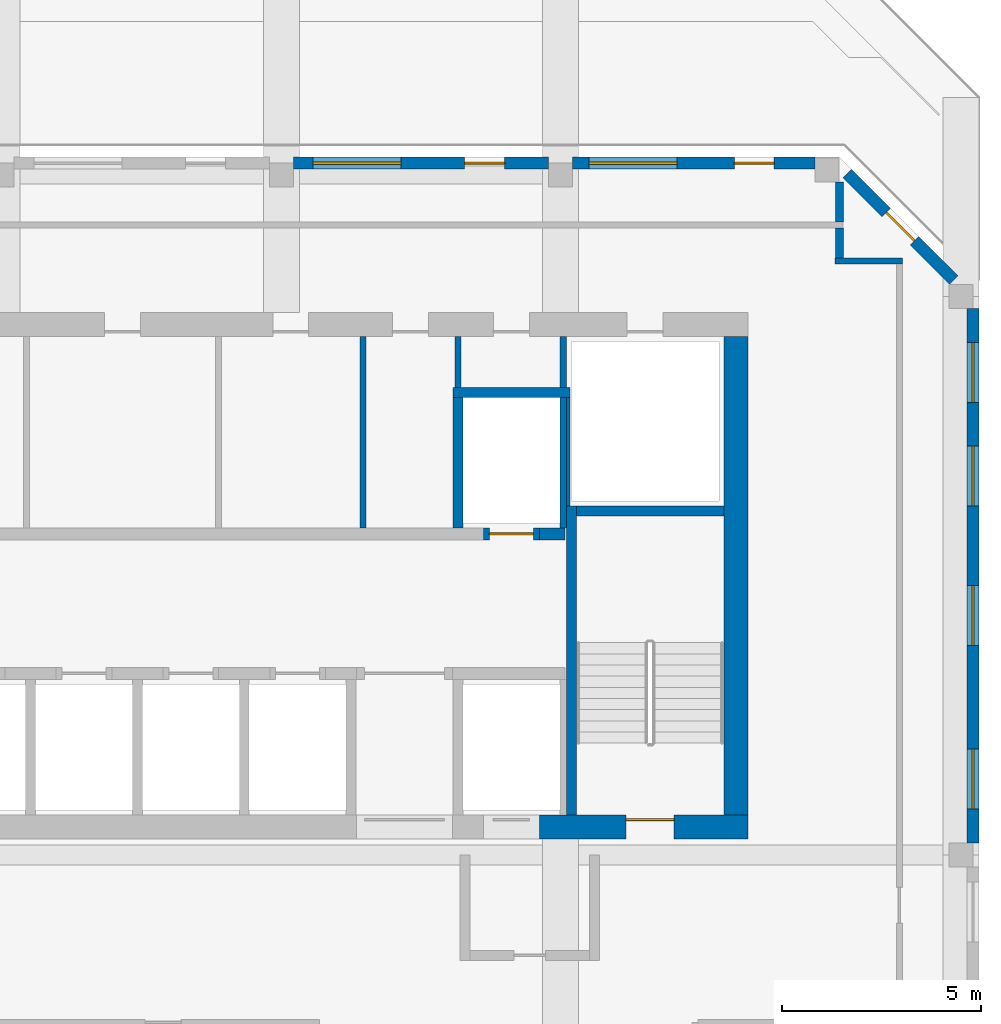
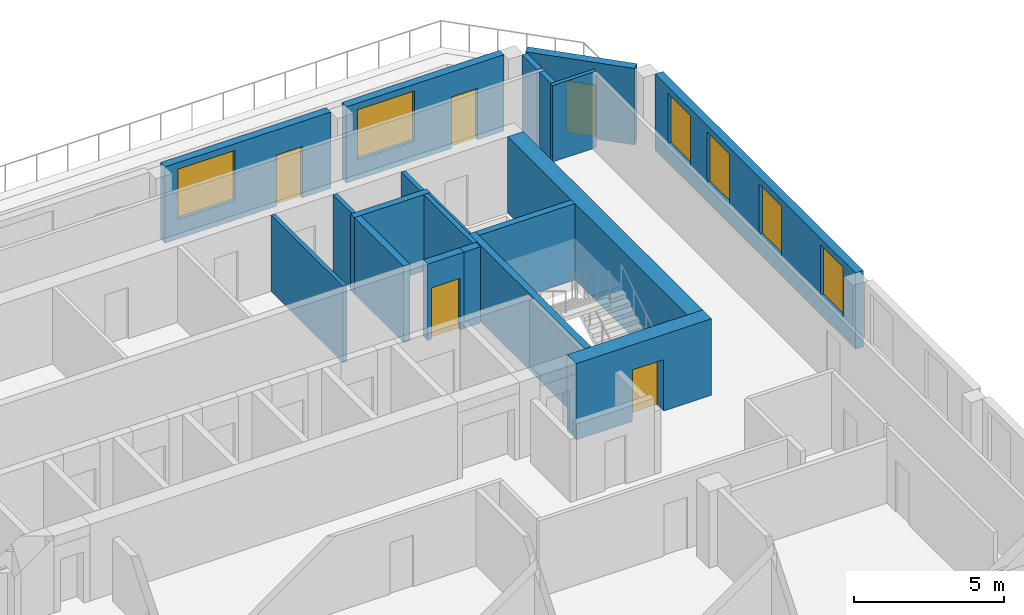
# One storey, part 8 of 12: 20 walls, 6 windows, 5 doors, 11 openings.
"""IFC4 building model written with IfcOpenShell, lengths in metres."""

from ifc_helpers import new_model, si_unit, direction, frame, frame_2d, origin, place, context, subcontext, project, spatial, rectangle, extrude, source, transform, mapped, material, layer, layer_set, type_object, element, fill, save


model = new_model("IFC4")

# Units and contexts
model_context = context("Model", 3, precision=1e-05, world=origin(), true_north=direction((0.0, 1.0)))
body_context = subcontext(model_context, "Body", "Model", "MODEL_VIEW")
ifc_project = project(units=[si_unit("LENGTHUNIT", "METRE"), si_unit("AREAUNIT", "SQUARE_METRE"), si_unit("VOLUMEUNIT", "CUBIC_METRE"), si_unit("PLANEANGLEUNIT", "RADIAN"), si_unit("MASSUNIT", "GRAM", prefix="KILO")], contexts=[model_context])

# Site, building, storey
site_placement = place(None, origin())
site = spatial("IfcSite", under=ifc_project, at=site_placement, CompositionType="ELEMENT")
building_placement = place(site_placement, origin())
building = spatial("IfcBuilding", under=site, at=building_placement, Name="Kilnfold Tower and Market Hall", CompositionType="ELEMENT")
storey_placement = place(building_placement, frame((0.0, 0.0, 295.0)))
storey = spatial("IfcBuildingStorey", under=building, at=storey_placement, Name="L73", CompositionType="ELEMENT", Elevation=295.0)

# Walls
ifc_material_1 = material(Name="Gypsum board on steel studs", Category="steel")
ifc_layer_1 = layer(ifc_material_1, 0.14990234375)
ifc_layer_set_1 = layer_set([ifc_layer_1], Name="Gypsum board on steel studs")
wall_type_1 = type_object("IfcWallType", Name="WALL CORRIDOR 150", PredefinedType="PARTITIONING", material=ifc_layer_set_1)
wall_1_placement = place(storey_placement, frame((21.574951171875, 22.89990234375, 0.0), z_axis=(0.0, 0.0, 1.0), x_axis=(-1.0, 0.0, 0.0)))
element("IfcWall", 1, at=wall_1_placement, inside=storey, type_object=wall_type_1, Name="Partition LY45.5", PredefinedType="PARTITIONING", context=body_context, shape_type="SweptSolid", body=[
    extrude(rectangle(XDim=1.68701171875, YDim=0.14990234375, at=frame_2d((0.843505859375, 0.0))), origin(), (0.0, 0.0, 1.0), 3.1201171875),
])
ifc_material_2 = material(Name="Gypsum board on steel studs", Category="steel")
ifc_layer_2 = layer(ifc_material_2, 0.199951171875)
ifc_layer_set_2 = layer_set([ifc_layer_2], Name="Gypsum board on steel studs")
wall_type_2 = type_object("IfcWallType", Name="WALL PARTY 200", PredefinedType="PARTITIONING", material=ifc_layer_set_2)
wall_2_placement = place(storey_placement, frame((20.0, 23.876953125, 0.0), z_axis=(0.0, 0.0, 1.0), x_axis=(0.0, 1.0, 0.0)))
element("IfcWall", 2, at=wall_2_placement, inside=storey, type_object=wall_type_2, Name="Partition LY45.60", PredefinedType="PARTITIONING", context=body_context, shape_type="SweptSolid", body=[
    extrude(rectangle(XDim=1.005126953125, YDim=0.199951171875, at=frame_2d((0.50244140625, 0.0))), origin(), (0.0, 0.0, 1.0), 3.1201171875),
])
wall_3_placement = place(storey_placement, frame((19.998046875, 23.72705078125, 0.0), z_axis=(0.0, 0.0, 1.0), x_axis=(0.0, -1.0, 0.0)))
element("IfcWall", 3, at=wall_3_placement, inside=storey, type_object=wall_type_2, Name="Partition LY45.61", PredefinedType="PARTITIONING", context=body_context, shape_type="SweptSolid", body=[
    extrude(rectangle(XDim=0.751953125, YDim=0.199951171875, at=frame_2d((0.3759765625, 0.0))), origin(), (0.0, 0.0, 1.0), 3.1201171875),
])
ifc_material_3 = material(Name="Concrete C50", Category="concrete")
ifc_layer_3 = layer(ifc_material_3, 0.25)
ifc_layer_set_3 = layer_set([ifc_layer_3], Name="Concrete C50")
wall_type_3 = type_object("IfcWallType", Name="CORE WALL 250 C50", PredefinedType="SHEAR", material=ifc_layer_set_3)
shared_shape_1 = source(origin(), body_context, "Body", "SweptSolid", [
    extrude(rectangle(XDim=7.75, YDim=0.25, at=frame_2d((3.875, 0.0))), origin(), (0.0, 0.0, 1.0), 3.1201171875),
])
wall_4_placement = place(storey_placement, frame((13.27490234375, 9.0, 0.0), z_axis=(0.0, 0.0, 1.0), x_axis=(0.0, 1.0, 0.0)))
element("IfcWall", 4, at=wall_4_placement, inside=storey, type_object=wall_type_3, Name="Stair enclosure ST2", PredefinedType="SHEAR", context=body_context, shape_type="MappedRepresentation", body=[
    mapped(shared_shape_1, transform((0.0, 0.0, 0.0))),
])
shared_shape_2 = source(origin(), body_context, "Body", "SweptSolid", [
    extrude(rectangle(XDim=3.7001953125, YDim=0.25, at=frame_2d((1.85009765625, 0.0))), origin(), (0.0, 0.0, 1.0), 3.1201171875),
])
wall_5_placement = place(storey_placement, frame((13.39990234375, 16.625, 0.0), z_axis=(0.0, 0.0, 1.0), x_axis=(1.0, 0.0, 0.0)))
element("IfcWall", 5, at=wall_5_placement, inside=storey, type_object=wall_type_3, Name="Stair enclosure ST2", PredefinedType="SHEAR", context=body_context, shape_type="MappedRepresentation", body=[
    mapped(shared_shape_2, transform((0.0, 0.0, 0.0))),
])
ifc_material_4 = material(Name="Concrete C50", Category="concrete")
ifc_layer_4 = layer(ifc_material_4, 0.300048828125)
ifc_layer_set_4 = layer_set([ifc_layer_4], Name="Concrete C50")
wall_type_4 = type_object("IfcWallType", Name="CORE WALL 300 C50", PredefinedType="SHEAR", material=ifc_layer_set_4)
shared_shape_3 = source(origin(), body_context, "Body", "SweptSolid", [
    extrude(rectangle(XDim=0.64013671875, YDim=0.300048828125, at=frame_2d((0.320068359375, 0.0))), origin(), (0.0, 0.0, 1.0), 3.1201171875),
])
wall_6_placement = place(storey_placement, frame((12.469970703125, 16.050048828125, 0.0), z_axis=(0.0, 0.0, 1.0), x_axis=(1.0, 0.0, 0.0)))
element("IfcWall", 6, at=wall_6_placement, inside=storey, type_object=wall_type_4, Name="Core spine wall", PredefinedType="SHEAR", context=body_context, shape_type="MappedRepresentation", body=[
    mapped(shared_shape_3, transform((0.0, 0.0, 0.0))),
])

# Wall, opening, door
ifc_material_5 = material(Name="Concrete C50", Category="concrete")
ifc_layer_5 = layer(ifc_material_5, 0.60009765625)
ifc_layer_set_5 = layer_set([ifc_layer_5], Name="Concrete C50")
wall_type_5 = type_object("IfcWallType", Name="CORE WALL 600 C50", PredefinedType="SHEAR", material=ifc_layer_set_5)
shared_shape_4 = source(origin(), body_context, "Body", "SweptSolid", [
    extrude(rectangle(XDim=5.22998046875, YDim=0.60009765625, at=frame_2d((2.614990234375, 0.0))), origin(), (0.0, 0.0, 1.0), 3.1201171875),
])
wall_7_placement = place(storey_placement, frame((12.469970703125, 8.699951171875, 0.0), z_axis=(0.0, 0.0, 1.0), x_axis=(1.0, 0.0, 0.0)))
wall_7 = element("IfcWall", 7, at=wall_7_placement, inside=storey, type_object=wall_type_5, Name="Core outer wall south", PredefinedType="SHEAR", context=body_context, shape_type="MappedRepresentation", body=[
    mapped(shared_shape_4, transform((0.0, 0.0, 0.0))),
])
opening_1_placement = place(wall_7_placement, frame((2.179931640625, 0.0, 0.0)))
opening_1 = element("IfcOpeningElement", 8, at=opening_1_placement, cuts=wall_7, Name="Opening SD1", PredefinedType="OPENING", context=body_context, shape_type="SweptSolid", body=[
    extrude(rectangle(XDim=1.199951171875, YDim=2.10009765625, at=frame_2d((0.60009765625, 1.050048828125))), frame((0.0, 0.31005859375, 0.0), z_axis=(0.0, -1.0, 0.0), x_axis=(1.0, 0.0, 0.0)), (0.0, 0.0, 1.0), 0.6201171875),
])
ifc_material_6 = material(Name="Steel door set with fire-resisting leaf", Category="steel")
door_type_1 = type_object("IfcDoorType", Name="STAIR FLOOR DOOR 1200X2100", OperationType="NOTDEFINED", PredefinedType="DOOR", material=ifc_material_6)
door_1_placement = place(opening_1_placement, origin())
door_1 = element("IfcDoor", 9, at=door_1_placement, inside=storey, type_object=door_type_1, Name="Exit stair ST2 door", OperationType="DOUBLE_DOOR_SINGLE_SWING", OverallHeight=2.10009765625, OverallWidth=1.199951171875, PredefinedType="DOOR", context=body_context, shape_type="SweptSolid", body=[
    extrude(rectangle(XDim=1.199951171875, YDim=2.10009765625, at=frame_2d((0.60009765625, 1.050048828125))), frame((0.0, 0.205078125, 0.0), z_axis=(0.0, -1.0, 0.0), x_axis=(1.0, 0.0, 0.0)), (0.0, 0.0, 1.0), 0.050048828125),
])
fill(opening_1, door_1)

# Wall
shared_shape_5 = source(origin(), body_context, "Body", "SweptSolid", [
    extrude(rectangle(XDim=12.0, YDim=0.60009765625, at=frame_2d((6.0, 0.0))), origin(), (0.0, 0.0, 1.0), 3.1201171875),
])
wall_8_placement = place(storey_placement, frame((17.39990234375, 9.0, 0.0), z_axis=(0.0, 0.0, 1.0), x_axis=(0.0, 1.0, 0.0)))
element("IfcWall", 10, at=wall_8_placement, inside=storey, type_object=wall_type_5, Name="Core outer wall east", PredefinedType="SHEAR", context=body_context, shape_type="MappedRepresentation", body=[
    mapped(shared_shape_5, transform((0.0, 0.0, 0.0))),
])

# Wall, openings, door, window
ifc_material_7 = material(Name="Precast concrete C50/60", Category="concrete")
ifc_layer_6 = layer(ifc_material_7, 0.300048828125)
ifc_layer_set_6 = layer_set([ifc_layer_6], Name="Precast concrete C50/60")
wall_type_6 = type_object("IfcWallType", Name="PRECAST WALL 300", PredefinedType="SOLIDWALL", material=ifc_layer_set_6)
shared_shape_6 = source(origin(), body_context, "Body", "SweptSolid", [
    extrude(rectangle(XDim=6.39990234375, YDim=0.300048828125, at=frame_2d((3.199951171875, 0.0))), origin(), (0.0, 0.0, 1.0), 3.1201171875),
])
wall_9_placement = place(storey_placement, frame((12.699951171875, 25.35009765625, 0.0), z_axis=(0.0, 0.0, 1.0), x_axis=(-1.0, 0.0, 0.0)))
wall_9 = element("IfcWall", 11, at=wall_9_placement, inside=storey, type_object=wall_type_6, Name="External wall L73 N", PredefinedType="SOLIDWALL", context=body_context, shape_type="MappedRepresentation", body=[
    mapped(shared_shape_6, transform((0.0, 0.0, 0.0))),
])
opening_2_placement = place(wall_9_placement, frame((1.10009765625, 0.0, 0.0)))
opening_2 = element("IfcOpeningElement", 12, at=opening_2_placement, cuts=wall_9, Name="Opening BD1", PredefinedType="OPENING", context=body_context, shape_type="SweptSolid", body=[
    extrude(rectangle(XDim=1.0, YDim=2.10009765625, at=frame_2d((0.5, 1.050048828125))), frame((0.0, 0.16015625, 0.0), z_axis=(0.0, -1.0, 0.0), x_axis=(1.0, 0.0, 0.0)), (0.0, 0.0, 1.0), 0.320068359375),
])
opening_3_placement = place(wall_9_placement, frame((3.699951171875, 0.0, 0.800048828125)))
opening_3 = element("IfcOpeningElement", 13, at=opening_3_placement, cuts=wall_9, Name="Opening W3", PredefinedType="OPENING", context=body_context, shape_type="SweptSolid", body=[
    extrude(rectangle(XDim=2.199951171875, YDim=2.050048828125, at=frame_2d((1.10009765625, 1.02490234375))), frame((0.0, 0.16015625, 0.0), z_axis=(0.0, -1.0, 0.0), x_axis=(1.0, 0.0, 0.0)), (0.0, 0.0, 1.0), 0.320068359375),
])
ifc_material_8 = material(Name="Aluminium frame and double glazing", Category="aluminium")
door_type_2 = type_object("IfcDoorType", Name="BALCONY DOOR 1000X2100", OperationType="NOTDEFINED", PredefinedType="DOOR", material=ifc_material_8)
door_2_placement = place(opening_2_placement, origin())
door_2 = element("IfcDoor", 14, at=door_2_placement, inside=storey, type_object=door_type_2, Name="Balcony door BD1 L73 N-1", OperationType="SINGLE_SWING_LEFT", OverallHeight=2.10009765625, OverallWidth=1.0, PredefinedType="DOOR", context=body_context, shape_type="SweptSolid", body=[
    extrude(rectangle(XDim=1.0, YDim=2.10009765625, at=frame_2d((0.5, 1.050048828125))), frame((0.0, 0.02490234375, 0.0), z_axis=(0.0, -1.0, 0.0), x_axis=(1.0, 0.0, 0.0)), (0.0, 0.0, 1.0), 0.050048828125),
])
fill(opening_2, door_2)
ifc_material_9 = material(Name="Aluminium frame and double glazing", Category="aluminium")
window_type_1 = type_object("IfcWindowType", Name="WINDOW W3 2200X2050", PartitioningType="SINGLE_PANEL", PredefinedType="WINDOW", material=ifc_material_9)
window_1_placement = place(opening_3_placement, origin())
window_1 = element("IfcWindow", 15, at=window_1_placement, inside=storey, type_object=window_type_1, Name="Window W3 L73 N-2", OverallHeight=2.050048828125, OverallWidth=2.199951171875, PartitioningType="SINGLE_PANEL", PredefinedType="WINDOW", context=body_context, shape_type="SweptSolid", body=[
    extrude(rectangle(XDim=2.199951171875, YDim=2.050048828125, at=frame_2d((1.10009765625, 1.02490234375))), frame((0.0, 0.030029296875, 0.0), z_axis=(0.0, -1.0, 0.0), x_axis=(1.0, 0.0, 0.0)), (0.0, 0.0, 1.0), 0.06005859375),
])
fill(opening_3, window_1)

# Wall, opening, door
shared_shape_7 = source(origin(), body_context, "Body", "SweptSolid", [
    extrude(rectangle(XDim=3.783203125, YDim=0.300048828125, at=frame_2d((1.8916015625, 0.0))), origin(), (0.0, 0.0, 1.0), 3.1201171875),
])
wall_10_placement = place(storey_placement, frame((22.868896484375, 22.4189453125, 0.0), z_axis=(0.0, 0.0, 1.0), x_axis=(-0.707106781187, 0.707106781187, 0.0)))
wall_10 = element("IfcWall", 16, at=wall_10_placement, inside=storey, type_object=wall_type_6, Name="External wall L73 NE", PredefinedType="SOLIDWALL", context=body_context, shape_type="MappedRepresentation", body=[
    mapped(shared_shape_7, transform((0.0, 0.0, 0.0))),
])
opening_4_placement = place(wall_10_placement, frame((1.3916015625, 0.0, 0.0)))
opening_4 = element("IfcOpeningElement", 17, at=opening_4_placement, cuts=wall_10, Name="Opening BD1", PredefinedType="OPENING", context=body_context, shape_type="SweptSolid", body=[
    extrude(rectangle(XDim=1.0, YDim=2.10009765625, at=frame_2d((0.5, 1.050048828125))), frame((0.0, 0.16015625, 0.0), z_axis=(0.0, -1.0, 0.0), x_axis=(1.0, 0.0, 0.0)), (0.0, 0.0, 1.0), 0.320068359375),
])
door_3_placement = place(opening_4_placement, origin())
door_3 = element("IfcDoor", 18, at=door_3_placement, inside=storey, type_object=door_type_2, Name="Balcony door BD1 L73 NE-1", OperationType="SINGLE_SWING_LEFT", OverallHeight=2.10009765625, OverallWidth=1.0, PredefinedType="DOOR", context=body_context, shape_type="SweptSolid", body=[
    extrude(rectangle(XDim=1.0, YDim=2.10009765625, at=frame_2d((0.5, 1.050048828125))), frame((0.0, 0.02490234375, 0.0), z_axis=(0.0, -1.0, 0.0), x_axis=(1.0, 0.0, 0.0)), (0.0, 0.0, 1.0), 0.050048828125),
])
fill(opening_4, door_3)

# Wall, openings, windows
shared_shape_8 = source(origin(), body_context, "Body", "SweptSolid", [
    extrude(rectangle(XDim=13.39990234375, YDim=0.300048828125, at=frame_2d((6.699951171875, 0.0))), origin(), (0.0, 0.0, 1.0), 3.1201171875),
])
wall_11_placement = place(storey_placement, frame((23.35009765625, 8.300048828125, 0.0), z_axis=(0.0, 0.0, 1.0), x_axis=(0.0, 1.0, 0.0)))
wall_11 = element("IfcWall", 19, at=wall_11_placement, inside=storey, type_object=wall_type_6, Name="External wall L73 E", PredefinedType="SOLIDWALL", context=body_context, shape_type="MappedRepresentation", body=[
    mapped(shared_shape_8, transform((0.0, 0.0, 0.0))),
])
opening_5_placement = place(wall_11_placement, frame((0.85009765625, 0.0, 0.800048828125)))
opening_5 = element("IfcOpeningElement", 20, at=opening_5_placement, cuts=wall_11, Name="Opening W5", PredefinedType="OPENING", context=body_context, shape_type="SweptSolid", body=[
    extrude(rectangle(XDim=1.5, YDim=2.050048828125, at=frame_2d((0.75, 1.02490234375))), frame((0.0, 0.16015625, 0.0), z_axis=(0.0, -1.0, 0.0), x_axis=(1.0, 0.0, 0.0)), (0.0, 0.0, 1.0), 0.320068359375),
])
opening_6_placement = place(wall_11_placement, frame((4.949951171875, 0.0, 0.800048828125)))
opening_6 = element("IfcOpeningElement", 21, at=opening_6_placement, cuts=wall_11, Name="Opening W5", PredefinedType="OPENING", context=body_context, shape_type="SweptSolid", body=[
    extrude(rectangle(XDim=1.5, YDim=2.050048828125, at=frame_2d((0.75, 1.02490234375))), frame((0.0, 0.16015625, 0.0), z_axis=(0.0, -1.0, 0.0), x_axis=(1.0, 0.0, 0.0)), (0.0, 0.0, 1.0), 0.320068359375),
])
opening_7_placement = place(wall_11_placement, frame((8.449951171875, 0.0, 0.800048828125)))
opening_7 = element("IfcOpeningElement", 22, at=opening_7_placement, cuts=wall_11, Name="Opening W5", PredefinedType="OPENING", context=body_context, shape_type="SweptSolid", body=[
    extrude(rectangle(XDim=1.5, YDim=2.050048828125, at=frame_2d((0.75, 1.02490234375))), frame((0.0, 0.16015625, 0.0), z_axis=(0.0, -1.0, 0.0), x_axis=(1.0, 0.0, 0.0)), (0.0, 0.0, 1.0), 0.320068359375),
])
opening_8_placement = place(wall_11_placement, frame((11.050048828125, 0.0, 0.800048828125)))
opening_8 = element("IfcOpeningElement", 23, at=opening_8_placement, cuts=wall_11, Name="Opening W5", PredefinedType="OPENING", context=body_context, shape_type="SweptSolid", body=[
    extrude(rectangle(XDim=1.5, YDim=2.050048828125, at=frame_2d((0.75, 1.02490234375))), frame((0.0, 0.16015625, 0.0), z_axis=(0.0, -1.0, 0.0), x_axis=(1.0, 0.0, 0.0)), (0.0, 0.0, 1.0), 0.320068359375),
])
ifc_material_10 = material(Name="Aluminium frame and double glazing", Category="aluminium")
window_type_2 = type_object("IfcWindowType", Name="WINDOW W5 1500X2050", PartitioningType="SINGLE_PANEL", PredefinedType="WINDOW", material=ifc_material_10)
window_2_placement = place(opening_5_placement, origin())
window_2 = element("IfcWindow", 24, at=window_2_placement, inside=storey, type_object=window_type_2, Name="Window W5 L73 E-1", OverallHeight=2.050048828125, OverallWidth=1.5, PartitioningType="SINGLE_PANEL", PredefinedType="WINDOW", context=body_context, shape_type="SweptSolid", body=[
    extrude(rectangle(XDim=1.5, YDim=2.050048828125, at=frame_2d((0.75, 1.02490234375))), frame((0.0, 0.030029296875, 0.0), z_axis=(0.0, -1.0, 0.0), x_axis=(1.0, 0.0, 0.0)), (0.0, 0.0, 1.0), 0.06005859375),
])
fill(opening_5, window_2)
window_3_placement = place(opening_6_placement, origin())
window_3 = element("IfcWindow", 25, at=window_3_placement, inside=storey, type_object=window_type_2, Name="Window W5 L73 E-2", OverallHeight=2.050048828125, OverallWidth=1.5, PartitioningType="SINGLE_PANEL", PredefinedType="WINDOW", context=body_context, shape_type="SweptSolid", body=[
    extrude(rectangle(XDim=1.5, YDim=2.050048828125, at=frame_2d((0.75, 1.02490234375))), frame((0.0, 0.030029296875, 0.0), z_axis=(0.0, -1.0, 0.0), x_axis=(1.0, 0.0, 0.0)), (0.0, 0.0, 1.0), 0.06005859375),
])
fill(opening_6, window_3)
window_4_placement = place(opening_7_placement, origin())
window_4 = element("IfcWindow", 26, at=window_4_placement, inside=storey, type_object=window_type_2, Name="Window W5 L73 E-3", OverallHeight=2.050048828125, OverallWidth=1.5, PartitioningType="SINGLE_PANEL", PredefinedType="WINDOW", context=body_context, shape_type="SweptSolid", body=[
    extrude(rectangle(XDim=1.5, YDim=2.050048828125, at=frame_2d((0.75, 1.02490234375))), frame((0.0, 0.030029296875, 0.0), z_axis=(0.0, -1.0, 0.0), x_axis=(1.0, 0.0, 0.0)), (0.0, 0.0, 1.0), 0.06005859375),
])
fill(opening_7, window_4)
window_5_placement = place(opening_8_placement, origin())
window_5 = element("IfcWindow", 27, at=window_5_placement, inside=storey, type_object=window_type_2, Name="Window W5 L73 E-4", OverallHeight=2.050048828125, OverallWidth=1.5, PartitioningType="SINGLE_PANEL", PredefinedType="WINDOW", context=body_context, shape_type="SweptSolid", body=[
    extrude(rectangle(XDim=1.5, YDim=2.050048828125, at=frame_2d((0.75, 1.02490234375))), frame((0.0, 0.030029296875, 0.0), z_axis=(0.0, -1.0, 0.0), x_axis=(1.0, 0.0, 0.0)), (0.0, 0.0, 1.0), 0.06005859375),
])
fill(opening_8, window_5)

# Wall, openings, door, window
shared_shape_9 = source(origin(), body_context, "Body", "SweptSolid", [
    extrude(rectangle(XDim=6.081787109375, YDim=0.300048828125, at=frame_2d((3.041015625, 0.0))), origin(), (0.0, 0.0, 1.0), 3.1201171875),
])
wall_12_placement = place(storey_placement, frame((19.3818359375, 25.35009765625, 0.0), z_axis=(0.0, 0.0, 1.0), x_axis=(-1.0, 0.0, 0.0)))
wall_12 = element("IfcWall", 28, at=wall_12_placement, inside=storey, type_object=wall_type_6, Name="External wall L73 N", PredefinedType="SOLIDWALL", context=body_context, shape_type="MappedRepresentation", body=[
    mapped(shared_shape_9, transform((0.0, 0.0, 0.0))),
])
opening_9_placement = place(wall_12_placement, frame((1.0205078125, 0.0, 0.0)))
opening_9 = element("IfcOpeningElement", 29, at=opening_9_placement, cuts=wall_12, Name="Opening BD1", PredefinedType="OPENING", context=body_context, shape_type="SweptSolid", body=[
    extrude(rectangle(XDim=1.0, YDim=2.10009765625, at=frame_2d((0.5, 1.050048828125))), frame((0.0, 0.16015625, 0.0), z_axis=(0.0, -1.0, 0.0), x_axis=(1.0, 0.0, 0.0)), (0.0, 0.0, 1.0), 0.320068359375),
])
opening_10_placement = place(wall_12_placement, frame((3.461181640625, 0.0, 0.800048828125)))
opening_10 = element("IfcOpeningElement", 30, at=opening_10_placement, cuts=wall_12, Name="Opening W3", PredefinedType="OPENING", context=body_context, shape_type="SweptSolid", body=[
    extrude(rectangle(XDim=2.199951171875, YDim=2.050048828125, at=frame_2d((1.10009765625, 1.02490234375))), frame((0.0, 0.16015625, 0.0), z_axis=(0.0, -1.0, 0.0), x_axis=(1.0, 0.0, 0.0)), (0.0, 0.0, 1.0), 0.320068359375),
])
door_4_placement = place(opening_9_placement, origin())
door_4 = element("IfcDoor", 31, at=door_4_placement, inside=storey, type_object=door_type_2, Name="Balcony door BD1 L73 N-1", OperationType="SINGLE_SWING_LEFT", OverallHeight=2.10009765625, OverallWidth=1.0, PredefinedType="DOOR", context=body_context, shape_type="SweptSolid", body=[
    extrude(rectangle(XDim=1.0, YDim=2.10009765625, at=frame_2d((0.5, 1.050048828125))), frame((0.0, 0.02490234375, 0.0), z_axis=(0.0, -1.0, 0.0), x_axis=(1.0, 0.0, 0.0)), (0.0, 0.0, 1.0), 0.050048828125),
])
fill(opening_9, door_4)
window_6_placement = place(opening_10_placement, origin())
window_6 = element("IfcWindow", 32, at=window_6_placement, inside=storey, type_object=window_type_1, Name="Window W3 L73 N-2", OverallHeight=2.050048828125, OverallWidth=2.199951171875, PartitioningType="SINGLE_PANEL", PredefinedType="WINDOW", context=body_context, shape_type="SweptSolid", body=[
    extrude(rectangle(XDim=2.199951171875, YDim=2.050048828125, at=frame_2d((1.10009765625, 1.02490234375))), frame((0.0, 0.030029296875, 0.0), z_axis=(0.0, -1.0, 0.0), x_axis=(1.0, 0.0, 0.0)), (0.0, 0.0, 1.0), 0.06005859375),
])
fill(opening_10, window_6)

# Wall, opening, door
ifc_material_11 = material(Name="Gypsum shaft wall system")
ifc_layer_7 = layer(ifc_material_11, 0.300048828125)
ifc_layer_set_7 = layer_set([ifc_layer_7], Name="Gypsum shaft wall system")
wall_type_7 = type_object("IfcWallType", Name="SHAFT WALL 300", PredefinedType="PARTITIONING", material=ifc_layer_set_7)
shared_shape_10 = source(origin(), body_context, "Body", "SweptSolid", [
    extrude(rectangle(XDim=1.39990234375, YDim=0.300048828125, at=frame_2d((0.699951171875, 0.0))), origin(), (0.0, 0.0, 1.0), 3.1201171875),
])
wall_13_placement = place(storey_placement, frame((11.070068359375, 16.050048828125, 0.0), z_axis=(0.0, 0.0, 1.0), x_axis=(1.0, 0.0, 0.0)))
wall_13 = element("IfcWall", 33, at=wall_13_placement, inside=storey, type_object=wall_type_7, Name="Lift shaft front wall", PredefinedType="PARTITIONING", context=body_context, shape_type="MappedRepresentation", body=[
    mapped(shared_shape_10, transform((0.0, 0.0, 0.0))),
])
opening_11_placement = place(wall_13_placement, frame((0.14990234375, 0.0, 0.0)))
opening_11 = element("IfcOpeningElement", 34, at=opening_11_placement, cuts=wall_13, Name="Opening LD2", PredefinedType="OPENING", context=body_context, shape_type="SweptSolid", body=[
    extrude(rectangle(XDim=1.10009765625, YDim=2.10009765625, at=frame_2d((0.550048828125, 1.050048828125))), frame((0.0, 0.16015625, 0.0), z_axis=(0.0, -1.0, 0.0), x_axis=(1.0, 0.0, 0.0)), (0.0, 0.0, 1.0), 0.320068359375),
])
ifc_material_12 = material(Name="Steel door set with fire-resisting leaf", Category="steel")
door_type_3 = type_object("IfcDoorType", Name="LANDING DOOR 1100X2100", OperationType="NOTDEFINED", PredefinedType="DOOR", material=ifc_material_12)
door_5_placement = place(opening_11_placement, origin())
door_5 = element("IfcDoor", 35, at=door_5_placement, inside=storey, type_object=door_type_3, Name="Landing door HR6", OperationType="DOUBLE_DOOR_SLIDING", OverallHeight=2.10009765625, OverallWidth=1.10009765625, PredefinedType="DOOR", context=body_context, shape_type="SweptSolid", body=[
    extrude(rectangle(XDim=1.10009765625, YDim=2.10009765625, at=frame_2d((0.550048828125, 1.050048828125))), frame((0.0, 0.02490234375, 0.0), z_axis=(0.0, -1.0, 0.0), x_axis=(1.0, 0.0, 0.0)), (0.0, 0.0, 1.0), 0.050048828125),
])
fill(opening_11, door_5)

# Walls
ifc_material_13 = material(Name="Gypsum shaft wall system")
ifc_layer_8 = layer(ifc_material_13, 0.1650390625)
ifc_layer_set_8 = layer_set([ifc_layer_8], Name="Gypsum shaft wall system")
wall_type_8 = type_object("IfcWallType", Name="SHAFT WALL 165", PredefinedType="PARTITIONING", material=ifc_layer_set_8)
shared_shape_11 = source(origin(), body_context, "Body", "SweptSolid", [
    extrude(rectangle(XDim=3.275146484375, YDim=0.1650390625, at=frame_2d((1.6376953125, 0.0))), origin(), (0.0, 0.0, 1.0), 3.1201171875),
])
wall_14_placement = place(storey_placement, frame((13.0673828125, 16.199951171875, 0.0), z_axis=(0.0, 0.0, 1.0), x_axis=(0.0, 1.0, 0.0)))
element("IfcWall", 36, at=wall_14_placement, inside=storey, type_object=wall_type_8, Name="Lift shaft wall", PredefinedType="PARTITIONING", context=body_context, shape_type="MappedRepresentation", body=[
    mapped(shared_shape_11, transform((0.0, 0.0, 0.0))),
])
shared_shape_12 = source(origin(), body_context, "Body", "SweptSolid", [
    extrude(rectangle(XDim=1.27490234375, YDim=0.1650390625, at=frame_2d((0.637451171875, 0.0))), origin(), (0.0, 0.0, 1.0), 3.1201171875),
])
wall_15_placement = place(storey_placement, frame((13.0673828125, 19.72509765625, 0.0), z_axis=(0.0, 0.0, 1.0), x_axis=(0.0, 1.0, 0.0)))
element("IfcWall", 37, at=wall_15_placement, inside=storey, type_object=wall_type_8, Name="Lift shaft wall", PredefinedType="PARTITIONING", context=body_context, shape_type="MappedRepresentation", body=[
    mapped(shared_shape_12, transform((0.0, 0.0, 0.0))),
])
ifc_material_14 = material(Name="Gypsum shaft wall system")
ifc_layer_9 = layer(ifc_material_14, 0.25)
ifc_layer_set_9 = layer_set([ifc_layer_9], Name="Gypsum shaft wall system")
wall_type_9 = type_object("IfcWallType", Name="SHAFT WALL 250", PredefinedType="PARTITIONING", material=ifc_layer_set_9)
shared_shape_13 = source(origin(), body_context, "Body", "SweptSolid", [
    extrude(rectangle(XDim=3.275146484375, YDim=0.25, at=frame_2d((1.6376953125, 0.0))), origin(), (0.0, 0.0, 1.0), 3.1201171875),
])
wall_16_placement = place(storey_placement, frame((10.429931640625, 16.199951171875, 0.0), z_axis=(0.0, 0.0, 1.0), x_axis=(0.0, 1.0, 0.0)))
element("IfcWall", 38, at=wall_16_placement, inside=storey, type_object=wall_type_9, Name="Lift shaft wall", PredefinedType="PARTITIONING", context=body_context, shape_type="MappedRepresentation", body=[
    mapped(shared_shape_13, transform((0.0, 0.0, 0.0))),
])
ifc_material_15 = material(Name="Gypsum shaft wall system")
ifc_layer_10 = layer(ifc_material_15, 0.0849609375)
ifc_layer_set_10 = layer_set([ifc_layer_10], Name="Gypsum shaft wall system")
wall_type_10 = type_object("IfcWallType", Name="SHAFT WALL 85", PredefinedType="PARTITIONING", material=ifc_layer_set_10)
shared_shape_14 = source(origin(), body_context, "Body", "SweptSolid", [
    extrude(rectangle(XDim=2.72509765625, YDim=0.0849609375, at=frame_2d((1.362548828125, 0.0))), origin(), (0.0, 0.0, 1.0), 3.1201171875),
])
wall_17_placement = place(storey_placement, frame((13.1923828125, 16.75, 0.0), z_axis=(0.0, 0.0, 1.0), x_axis=(0.0, 1.0, 0.0)))
element("IfcWall", 39, at=wall_17_placement, inside=storey, type_object=wall_type_10, Name="Lift shaft wall", PredefinedType="PARTITIONING", context=body_context, shape_type="MappedRepresentation", body=[
    mapped(shared_shape_14, transform((0.0, 0.0, 0.0))),
])
ifc_material_16 = material(Name="Gypsum shaft wall system")
ifc_layer_11 = layer(ifc_material_16, 0.14990234375)
ifc_layer_set_11 = layer_set([ifc_layer_11], Name="Gypsum shaft wall system")
wall_type_11 = type_object("IfcWallType", Name="ROOM WALL 150", PredefinedType="PARTITIONING", material=ifc_layer_set_11)
shared_shape_15 = source(origin(), body_context, "Body", "SweptSolid", [
    extrude(rectangle(XDim=4.800048828125, YDim=0.14990234375, at=frame_2d((2.39990234375, 0.0))), origin(), (0.0, 0.0, 1.0), 3.1201171875),
])
wall_18_placement = place(storey_placement, frame((8.044921875, 16.199951171875, 0.0), z_axis=(0.0, 0.0, 1.0), x_axis=(0.0, 1.0, 0.0)))
element("IfcWall", 40, at=wall_18_placement, inside=storey, type_object=wall_type_11, Name="Core room wall", PredefinedType="PARTITIONING", context=body_context, shape_type="MappedRepresentation", body=[
    mapped(shared_shape_15, transform((0.0, 0.0, 0.0))),
])
shared_shape_16 = source(origin(), body_context, "Body", "SweptSolid", [
    extrude(rectangle(XDim=1.27490234375, YDim=0.14990234375, at=frame_2d((0.637451171875, 0.0))), origin(), (0.0, 0.0, 1.0), 3.1201171875),
])
wall_19_placement = place(storey_placement, frame((10.429931640625, 19.72509765625, 0.0), z_axis=(0.0, 0.0, 1.0), x_axis=(0.0, 1.0, 0.0)))
element("IfcWall", 41, at=wall_19_placement, inside=storey, type_object=wall_type_11, Name="Core room wall", PredefinedType="PARTITIONING", context=body_context, shape_type="MappedRepresentation", body=[
    mapped(shared_shape_16, transform((0.0, 0.0, 0.0))),
])
shared_shape_17 = source(origin(), body_context, "Body", "SweptSolid", [
    extrude(rectangle(XDim=2.93017578125, YDim=0.25, at=frame_2d((1.465087890625, 0.0))), origin(), (0.0, 0.0, 1.0), 3.1201171875),
])
wall_20_placement = place(storey_placement, frame((10.304931640625, 19.60009765625, 0.0), z_axis=(0.0, 0.0, 1.0), x_axis=(1.0, 0.0, 0.0)))
element("IfcWall", 42, at=wall_20_placement, inside=storey, type_object=wall_type_9, Name="Lift shaft wall", PredefinedType="PARTITIONING", context=body_context, shape_type="MappedRepresentation", body=[
    mapped(shared_shape_17, transform((0.0, 0.0, 0.0))),
])

save(model, "model.ifc")
